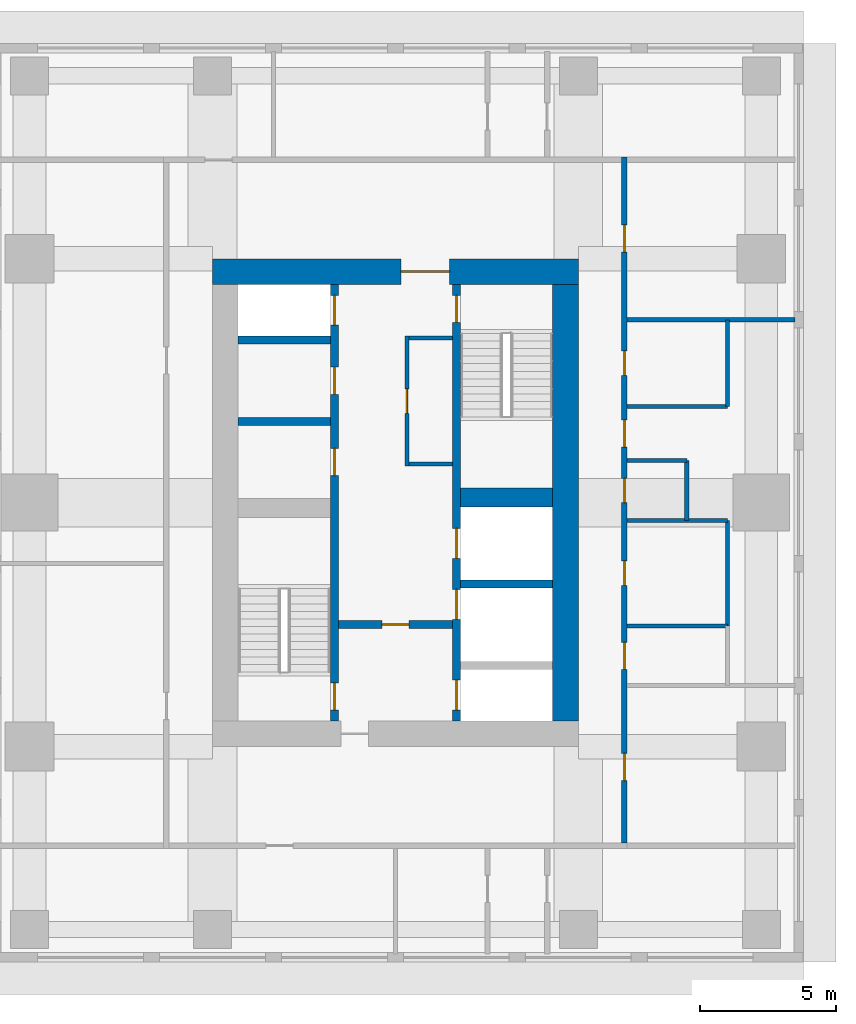
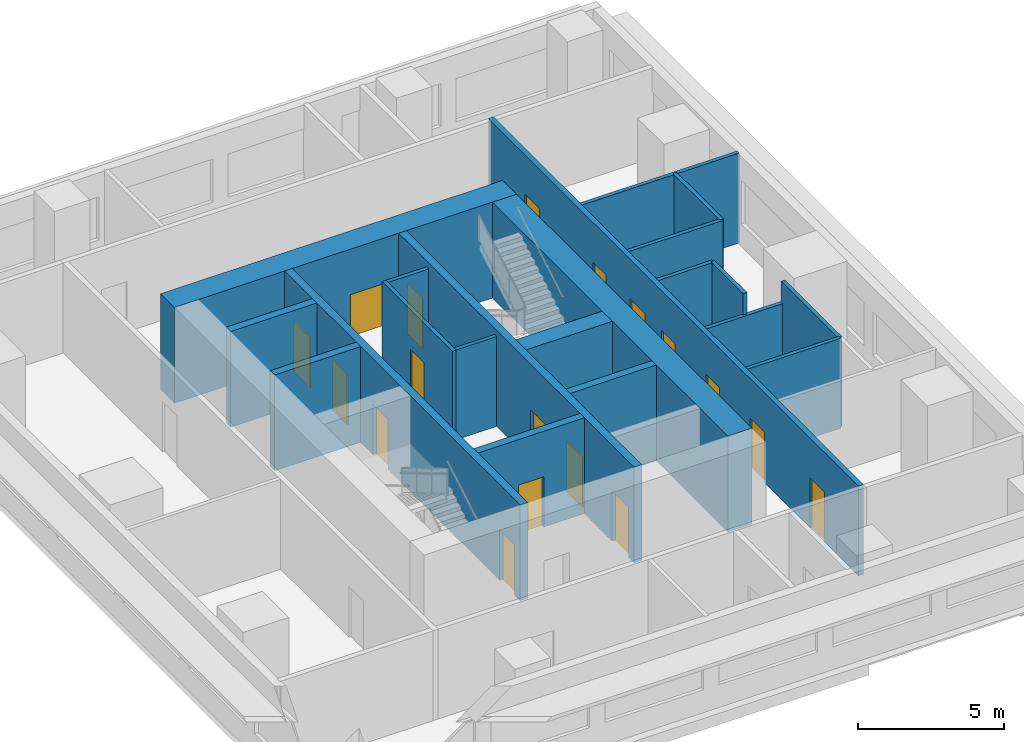
# One storey, part 7 of 11: 21 walls, 18 doors, 18 openings.
"""IFC4 building model written with IfcOpenShell, lengths in metres."""

from ifc_helpers import new_model, si_unit, direction, frame, frame_2d, origin, place, context, subcontext, project, spatial, rectangle, extrude, material, layer, layer_set, type_object, element, fill, save


model = new_model("IFC4")

# Units and contexts
model_context = context("Model", 3, precision=1e-05, world=origin(), true_north=direction((0.0, 1.0)))
body_context = subcontext(model_context, "Body", "Model", "MODEL_VIEW")
ifc_project = project(units=[si_unit("LENGTHUNIT", "METRE"), si_unit("AREAUNIT", "SQUARE_METRE"), si_unit("VOLUMEUNIT", "CUBIC_METRE"), si_unit("PLANEANGLEUNIT", "RADIAN"), si_unit("MASSUNIT", "GRAM", prefix="KILO")], contexts=[model_context])

# Site, building, storey
site_placement = place(None, origin())
site = spatial("IfcSite", under=ifc_project, at=site_placement, CompositionType="ELEMENT")
building_placement = place(site_placement, origin())
building = spatial("IfcBuilding", under=site, at=building_placement, Name="Namib Vertical Campus", CompositionType="ELEMENT")
storey_placement = place(building_placement, frame((0.0, 0.0, 189.0)))
storey = spatial("IfcBuildingStorey", under=building, at=storey_placement, Name="L44", CompositionType="ELEMENT", Elevation=189.0)

# Wall, openings, doors
ifc_material_1 = material(Name="Concrete C60/75", Category="concrete")
ifc_layer_1 = layer(ifc_material_1, 0.300048828125)
ifc_layer_set_1 = layer_set([ifc_layer_1], Name="Concrete C60/75")
wall_type_1 = type_object("IfcWallType", Name="Core inner wall 300", PredefinedType="SHEAR", material=ifc_layer_set_1)
wall_1_placement = place(storey_placement, frame((78.75, 12.199951171875, 0.0), z_axis=(0.0, 0.0, 1.0), x_axis=(0.0, 1.0, 0.0)))
wall_1 = element("IfcWall", 1, at=wall_1_placement, inside=storey, type_object=wall_type_1, Name="Core inner wall B L44 W1", PredefinedType="SHEAR", context=body_context, shape_type="SweptSolid", body=[
    extrude(rectangle(XDim=16.10009765625, YDim=0.300048828125, at=frame_2d((8.050048828125, 0.0))), origin(), (0.0, 0.0, 1.0), 4.0),
])
opening_1_placement = place(wall_1_placement, frame((0.39990234375, 0.0, 0.0)))
opening_1 = element("IfcOpeningElement", 2, at=opening_1_placement, cuts=wall_1, Name="Opening FD1", PredefinedType="OPENING", context=body_context, shape_type="SweptSolid", body=[
    extrude(rectangle(XDim=1.0, YDim=2.10009765625, at=frame_2d((0.5, 1.050048828125))), frame((0.0, 0.159912109375, 0.0), z_axis=(0.0, -1.0, 0.0), x_axis=(1.0, 0.0, 0.0)), (0.0, 0.0, 1.0), 0.320068359375),
])
opening_2_placement = place(wall_1_placement, frame((14.60009765625, 0.0, 0.0)))
opening_2 = element("IfcOpeningElement", 3, at=opening_2_placement, cuts=wall_1, Name="Opening LD1", PredefinedType="OPENING", context=body_context, shape_type="SweptSolid", body=[
    extrude(rectangle(XDim=1.10009765625, YDim=2.10009765625, at=frame_2d((0.550048828125, 1.050048828125))), frame((0.0, 0.159912109375, 0.0), z_axis=(0.0, -1.0, 0.0), x_axis=(1.0, 0.0, 0.0)), (0.0, 0.0, 1.0), 0.320068359375),
])
opening_3_placement = place(wall_1_placement, frame((9.050048828125, 0.0, 0.0)))
opening_3 = element("IfcOpeningElement", 4, at=opening_3_placement, cuts=wall_1, Name="Opening D1", PredefinedType="OPENING", context=body_context, shape_type="SweptSolid", body=[
    extrude(rectangle(XDim=1.0, YDim=2.10009765625, at=frame_2d((0.5, 1.050048828125))), frame((0.0, 0.159912109375, 0.0), z_axis=(0.0, -1.0, 0.0), x_axis=(1.0, 0.0, 0.0)), (0.0, 0.0, 1.0), 0.320068359375),
])
opening_4_placement = place(wall_1_placement, frame((12.050048828125, 0.0, 0.0)))
opening_4 = element("IfcOpeningElement", 5, at=opening_4_placement, cuts=wall_1, Name="Opening D1", PredefinedType="OPENING", context=body_context, shape_type="SweptSolid", body=[
    extrude(rectangle(XDim=1.0, YDim=2.10009765625, at=frame_2d((0.5, 1.050048828125))), frame((0.0, 0.159912109375, 0.0), z_axis=(0.0, -1.0, 0.0), x_axis=(1.0, 0.0, 0.0)), (0.0, 0.0, 1.0), 0.320068359375),
])
ifc_material_2 = material(Name="Timber door leaf", Category="wood")
door_type_1 = type_object("IfcDoorType", Name="Door single 1000x2100", OperationType="SINGLE_SWING_LEFT", PredefinedType="DOOR", material=ifc_material_2)
door_1_placement = place(opening_3_placement, origin())
door_1 = element("IfcDoor", 6, at=door_1_placement, inside=storey, type_object=door_type_1, Name="Door D1 Store B L44 P1", OperationType="SINGLE_SWING_LEFT", OverallHeight=2.10009765625, OverallWidth=1.0, PredefinedType="DOOR", context=body_context, shape_type="SweptSolid", body=[
    extrude(rectangle(XDim=1.0, YDim=2.10009765625, at=frame_2d((0.5, 1.050048828125))), frame((0.0, 0.02490234375, 0.0), z_axis=(0.0, -1.0, 0.0), x_axis=(1.0, 0.0, 0.0)), (0.0, 0.0, 1.0), 0.050048828125),
])
fill(opening_3, door_1)
door_2_placement = place(opening_4_placement, origin())
door_2 = element("IfcDoor", 7, at=door_2_placement, inside=storey, type_object=door_type_1, Name="Door D1 Comms room B L44 P2", OperationType="SINGLE_SWING_LEFT", OverallHeight=2.10009765625, OverallWidth=1.0, PredefinedType="DOOR", context=body_context, shape_type="SweptSolid", body=[
    extrude(rectangle(XDim=1.0, YDim=2.10009765625, at=frame_2d((0.5, 1.050048828125))), frame((0.0, 0.02490234375, 0.0), z_axis=(0.0, -1.0, 0.0), x_axis=(1.0, 0.0, 0.0)), (0.0, 0.0, 1.0), 0.050048828125),
])
fill(opening_4, door_2)
ifc_material_3 = material(Name="Steel fire door", Category="steel")
door_type_2 = type_object("IfcDoorType", Name="Fire door 1000x2100", OperationType="SINGLE_SWING_RIGHT", PredefinedType="DOOR", material=ifc_material_3)
door_3_placement = place(opening_1_placement, origin())
door_3 = element("IfcDoor", 8, at=door_3_placement, inside=storey, type_object=door_type_2, Name="Stair door FD1 B L44 S1", OperationType="SINGLE_SWING_LEFT", OverallHeight=2.10009765625, OverallWidth=1.0, PredefinedType="DOOR", context=body_context, shape_type="SweptSolid", body=[
    extrude(rectangle(XDim=1.0, YDim=2.10009765625, at=frame_2d((0.5, 1.050048828125))), frame((0.0, 0.02490234375, 0.0), z_axis=(0.0, -1.0, 0.0), x_axis=(1.0, 0.0, 0.0)), (0.0, 0.0, 1.0), 0.050048828125),
])
fill(opening_1, door_3)
ifc_material_4 = material(Name="Stainless steel lift door", Category="steel")
door_type_3 = type_object("IfcDoorType", Name="Lift landing door 1100x2100", OperationType="DOUBLE_DOOR_SLIDING", PredefinedType="DOOR", material=ifc_material_4)
door_4_placement = place(opening_2_placement, origin())
door_4 = element("IfcDoor", 9, at=door_4_placement, inside=storey, type_object=door_type_3, Name="Lift landing door LD1 B-P3 L44", OperationType="DOUBLE_DOOR_SLIDING", OverallHeight=2.10009765625, OverallWidth=1.10009765625, PredefinedType="DOOR", context=body_context, shape_type="SweptSolid", body=[
    extrude(rectangle(XDim=1.10009765625, YDim=2.10009765625, at=frame_2d((0.550048828125, 1.050048828125))), frame((0.0, 0.02490234375, 0.0), z_axis=(0.0, -1.0, 0.0), x_axis=(1.0, 0.0, 0.0)), (0.0, 0.0, 1.0), 0.050048828125),
])
fill(opening_2, door_4)

wall_2_placement = place(storey_placement, frame((83.25, 12.199951171875, 0.0), z_axis=(0.0, 0.0, 1.0), x_axis=(0.0, 1.0, 0.0)))
wall_2 = element("IfcWall", 10, at=wall_2_placement, inside=storey, type_object=wall_type_1, Name="Core inner wall B L44 W2", PredefinedType="SHEAR", context=body_context, shape_type="SweptSolid", body=[
    extrude(rectangle(XDim=16.10009765625, YDim=0.300048828125, at=frame_2d((8.050048828125, 0.0))), origin(), (0.0, 0.0, 1.0), 4.0),
])
opening_5_placement = place(wall_2_placement, frame((14.699951171875, 0.0, 0.0)))
opening_5 = element("IfcOpeningElement", 11, at=opening_5_placement, cuts=wall_2, Name="Opening FD1", PredefinedType="OPENING", context=body_context, shape_type="SweptSolid", body=[
    extrude(rectangle(XDim=1.0, YDim=2.10009765625, at=frame_2d((0.5, 1.050048828125))), frame((0.0, 0.159912109375, 0.0), z_axis=(0.0, -1.0, 0.0), x_axis=(1.0, 0.0, 0.0)), (0.0, 0.0, 1.0), 0.320068359375),
])
opening_6_placement = place(wall_2_placement, frame((0.39990234375, 0.0, 0.0)))
opening_6 = element("IfcOpeningElement", 12, at=opening_6_placement, cuts=wall_2, Name="Opening LD1", PredefinedType="OPENING", context=body_context, shape_type="SweptSolid", body=[
    extrude(rectangle(XDim=1.10009765625, YDim=2.10009765625, at=frame_2d((0.550048828125, 1.050048828125))), frame((0.0, 0.159912109375, 0.0), z_axis=(0.0, -1.0, 0.0), x_axis=(1.0, 0.0, 0.0)), (0.0, 0.0, 1.0), 0.320068359375),
])
opening_7_placement = place(wall_2_placement, frame((3.75, 0.0, 0.0)))
opening_7 = element("IfcOpeningElement", 13, at=opening_7_placement, cuts=wall_2, Name="Opening LD1", PredefinedType="OPENING", context=body_context, shape_type="SweptSolid", body=[
    extrude(rectangle(XDim=1.10009765625, YDim=2.10009765625, at=frame_2d((0.550048828125, 1.050048828125))), frame((0.0, 0.159912109375, 0.0), z_axis=(0.0, -1.0, 0.0), x_axis=(1.0, 0.0, 0.0)), (0.0, 0.0, 1.0), 0.320068359375),
])
opening_8_placement = place(wall_2_placement, frame((6.0, 0.0, 0.0)))
opening_8 = element("IfcOpeningElement", 14, at=opening_8_placement, cuts=wall_2, Name="Opening LD1", PredefinedType="OPENING", context=body_context, shape_type="SweptSolid", body=[
    extrude(rectangle(XDim=1.10009765625, YDim=2.10009765625, at=frame_2d((0.550048828125, 1.050048828125))), frame((0.0, 0.159912109375, 0.0), z_axis=(0.0, -1.0, 0.0), x_axis=(1.0, 0.0, 0.0)), (0.0, 0.0, 1.0), 0.320068359375),
])
door_5_placement = place(opening_5_placement, frame((1.0, 0.0, 0.0), z_axis=(0.0, 0.0, 1.0), x_axis=(-1.0, 0.0, 0.0)))
door_5 = element("IfcDoor", 15, at=door_5_placement, inside=storey, type_object=door_type_2, Name="Stair door FD1 B L44 S2", OperationType="SINGLE_SWING_LEFT", OverallHeight=2.10009765625, OverallWidth=1.0, PredefinedType="DOOR", context=body_context, shape_type="SweptSolid", body=[
    extrude(rectangle(XDim=1.0, YDim=2.10009765625, at=frame_2d((0.5, 1.050048828125))), frame((0.0, 0.02490234375, 0.0), z_axis=(0.0, -1.0, 0.0), x_axis=(1.0, 0.0, 0.0)), (0.0, 0.0, 1.0), 0.050048828125),
])
fill(opening_5, door_5)
door_6_placement = place(opening_6_placement, origin())
door_6 = element("IfcDoor", 16, at=door_6_placement, inside=storey, type_object=door_type_3, Name="Lift landing door LD1 B-FL1 L44", OperationType="DOUBLE_DOOR_SLIDING", OverallHeight=2.10009765625, OverallWidth=1.10009765625, PredefinedType="DOOR", context=body_context, shape_type="SweptSolid", body=[
    extrude(rectangle(XDim=1.10009765625, YDim=2.10009765625, at=frame_2d((0.550048828125, 1.050048828125))), frame((0.0, 0.02490234375, 0.0), z_axis=(0.0, -1.0, 0.0), x_axis=(1.0, 0.0, 0.0)), (0.0, 0.0, 1.0), 0.050048828125),
])
fill(opening_6, door_6)
door_7_placement = place(opening_7_placement, origin())
door_7 = element("IfcDoor", 17, at=door_7_placement, inside=storey, type_object=door_type_3, Name="Lift landing door LD1 B-P4 L44", OperationType="DOUBLE_DOOR_SLIDING", OverallHeight=2.10009765625, OverallWidth=1.10009765625, PredefinedType="DOOR", context=body_context, shape_type="SweptSolid", body=[
    extrude(rectangle(XDim=1.10009765625, YDim=2.10009765625, at=frame_2d((0.550048828125, 1.050048828125))), frame((0.0, 0.02490234375, 0.0), z_axis=(0.0, -1.0, 0.0), x_axis=(1.0, 0.0, 0.0)), (0.0, 0.0, 1.0), 0.050048828125),
])
fill(opening_7, door_7)
door_8_placement = place(opening_8_placement, origin())
door_8 = element("IfcDoor", 18, at=door_8_placement, inside=storey, type_object=door_type_3, Name="Lift landing door LD1 B-P5 L44", OperationType="DOUBLE_DOOR_SLIDING", OverallHeight=2.10009765625, OverallWidth=1.10009765625, PredefinedType="DOOR", context=body_context, shape_type="SweptSolid", body=[
    extrude(rectangle(XDim=1.10009765625, YDim=2.10009765625, at=frame_2d((0.550048828125, 1.050048828125))), frame((0.0, 0.02490234375, 0.0), z_axis=(0.0, -1.0, 0.0), x_axis=(1.0, 0.0, 0.0)), (0.0, 0.0, 1.0), 0.050048828125),
])
fill(opening_8, door_8)

# Wall, opening, door
wall_3_placement = place(storey_placement, frame((78.89990234375, 15.75, 0.0), z_axis=(0.0, 0.0, 1.0), x_axis=(1.0, 0.0, 0.0)))
wall_3 = element("IfcWall", 19, at=wall_3_placement, inside=storey, type_object=wall_type_1, Name="Core inner wall B L44 W4", PredefinedType="SHEAR", context=body_context, shape_type="SweptSolid", body=[
    extrude(rectangle(XDim=4.2001953125, YDim=0.300048828125, at=frame_2d((2.10009765625, 0.0))), origin(), (0.0, 0.0, 1.0), 4.0),
])
opening_9_placement = place(wall_3_placement, frame((1.60009765625, 0.0, 0.0)))
opening_9 = element("IfcOpeningElement", 20, at=opening_9_placement, cuts=wall_3, Name="Opening FD5", PredefinedType="OPENING", context=body_context, shape_type="SweptSolid", body=[
    extrude(rectangle(XDim=1.0, YDim=2.10009765625, at=frame_2d((0.5, 1.050048828125))), frame((0.0, 0.159912109375, 0.0), z_axis=(0.0, -1.0, 0.0), x_axis=(1.0, 0.0, 0.0)), (0.0, 0.0, 1.0), 0.320068359375),
])
ifc_material_5 = material(Name="Steel fire door", Category="steel")
door_type_4 = type_object("IfcDoorType", Name="Fire door 1000x2100 120 min", OperationType="SINGLE_SWING_RIGHT", PredefinedType="DOOR", material=ifc_material_5)
door_9_placement = place(opening_9_placement, frame((1.0, 0.0, 0.0), z_axis=(0.0, 0.0, 1.0), x_axis=(-1.0, 0.0, 0.0)))
door_9 = element("IfcDoor", 21, at=door_9_placement, inside=storey, type_object=door_type_4, Name="Lobby door FD5 B L44", OperationType="SINGLE_SWING_RIGHT", OverallHeight=2.10009765625, OverallWidth=1.0, PredefinedType="DOOR", context=body_context, shape_type="SweptSolid", body=[
    extrude(rectangle(XDim=1.0, YDim=2.10009765625, at=frame_2d((0.5, 1.050048828125))), frame((0.0, 0.02490234375, 0.0), z_axis=(0.0, -1.0, 0.0), x_axis=(1.0, 0.0, 0.0)), (0.0, 0.0, 1.0), 0.050048828125),
])
fill(opening_9, door_9)

# Walls
for number, where, z_axis, x_axis, name in (
    (22, (83.39990234375, 17.25, 0.0), (0.0, 0.0, 1.0), (1.0, 0.0, 0.0), "Core inner wall B L44 W6"),
    (23, (75.199951171875, 23.25, 0.0), (0.0, 0.0, 1.0), (1.0, 0.0, 0.0), "Core inner wall B L44 W8"),
    (24, (75.199951171875, 26.25, 0.0), (0.0, 0.0, 1.0), (1.0, 0.0, 0.0), "Core inner wall B L44 W9"),
):
    element("IfcWall", number, at=place(storey_placement, frame(where, z_axis=z_axis, x_axis=x_axis)), inside=storey, type_object=wall_type_1, Name=name, PredefinedType="SHEAR", context=body_context, shape_type="SweptSolid", body=[
        extrude(rectangle(XDim=3.400146484375, YDim=0.300048828125, at=frame_2d((1.7001953125, 0.0))), origin(), (0.0, 0.0, 1.0), 4.0),
    ])
ifc_material_6 = material(Name="Concrete C60/75", Category="concrete")
ifc_layer_2 = layer(ifc_material_6, 0.699951171875)
ifc_layer_set_2 = layer_set([ifc_layer_2], Name="Concrete C60/75")
wall_type_2 = type_object("IfcWallType", Name="Core shear wall 700", PredefinedType="SHEAR", material=ifc_layer_set_2)
wall_4_placement = place(storey_placement, frame((83.39990234375, 20.449951171875, 0.0), z_axis=(0.0, 0.0, 1.0), x_axis=(1.0, 0.0, 0.0)))
element("IfcWall", 25, at=wall_4_placement, inside=storey, type_object=wall_type_2, Name="Core shear wall B L44 W7", PredefinedType="SHEAR", context=body_context, shape_type="SweptSolid", body=[
    extrude(rectangle(XDim=3.400146484375, YDim=0.699951171875, at=frame_2d((1.7001953125, 0.0))), origin(), (0.0, 0.0, 1.0), 4.0),
])
ifc_material_7 = material(Name="Concrete C60/75", Category="concrete")
ifc_layer_3 = layer(ifc_material_7, 0.949951171875)
ifc_layer_set_3 = layer_set([ifc_layer_3], Name="Concrete C60/75")
wall_type_3 = type_object("IfcWallType", Name="Core wall 950", PredefinedType="SHEAR", material=ifc_layer_set_3)
wall_5_placement = place(storey_placement, frame((87.27490234375, 12.199951171875, 0.0), z_axis=(0.0, 0.0, 1.0), x_axis=(0.0, 1.0, 0.0)))
element("IfcWall", 26, at=wall_5_placement, inside=storey, type_object=wall_type_3, Name="Core wall B L44 2", PredefinedType="SHEAR", context=body_context, shape_type="SweptSolid", body=[
    extrude(rectangle(XDim=16.10009765625, YDim=0.949951171875, at=frame_2d((8.050048828125, 0.0))), origin(), (0.0, 0.0, 1.0), 4.0),
])

# Wall, opening, door
wall_6_placement = place(storey_placement, frame((87.75, 28.77490234375, 0.0), z_axis=(0.0, 0.0, 1.0), x_axis=(-1.0, 0.0, 0.0)))
wall_6 = element("IfcWall", 27, at=wall_6_placement, inside=storey, type_object=wall_type_3, Name="Core wall B L44 3", PredefinedType="SHEAR", context=body_context, shape_type="SweptSolid", body=[
    extrude(rectangle(XDim=13.5, YDim=0.949951171875, at=frame_2d((6.75, 0.0))), origin(), (0.0, 0.0, 1.0), 4.0),
])
opening_10_placement = place(wall_6_placement, frame((4.75, 0.0, 0.0)))
opening_10 = element("IfcOpeningElement", 28, at=opening_10_placement, cuts=wall_6, Name="Opening FD2", PredefinedType="OPENING", context=body_context, shape_type="SweptSolid", body=[
    extrude(rectangle(XDim=1.800048828125, YDim=2.10009765625, at=frame_2d((0.89990234375, 1.050048828125))), frame((0.0, 0.48486328125, 0.0), z_axis=(0.0, -1.0, 0.0), x_axis=(1.0, 0.0, 0.0)), (0.0, 0.0, 1.0), 0.969970703125),
])
ifc_material_8 = material(Name="Steel fire door", Category="steel")
door_type_5 = type_object("IfcDoorType", Name="Fire door double 1800x2100", OperationType="DOUBLE_DOOR_SINGLE_SWING", PredefinedType="DOOR", material=ifc_material_8)
door_10_placement = place(opening_10_placement, origin())
door_10 = element("IfcDoor", 29, at=door_10_placement, inside=storey, type_object=door_type_5, Name="Lift lobby door FD2 B L44", OperationType="DOUBLE_DOOR_SINGLE_SWING", OverallHeight=2.10009765625, OverallWidth=1.800048828125, PredefinedType="DOOR", context=body_context, shape_type="SweptSolid", body=[
    extrude(rectangle(XDim=1.800048828125, YDim=2.10009765625, at=frame_2d((0.89990234375, 1.050048828125))), frame((0.0, 0.02490234375, 0.0), z_axis=(0.0, -1.0, 0.0), x_axis=(1.0, 0.0, 0.0)), (0.0, 0.0, 1.0), 0.050048828125),
])
fill(opening_10, door_10)

# Wall, openings, doors
ifc_material_9 = material(Name="Concrete masonry", Category="masonry")
ifc_layer_4 = layer(ifc_material_9, 0.199951171875)
ifc_layer_set_4 = layer_set([ifc_layer_4], Name="Corridor wall 200")
wall_type_4 = type_object("IfcWallType", Name="Corridor wall 200", PredefinedType="SOLIDWALL", material=ifc_layer_set_4)
wall_7_placement = place(storey_placement, frame((89.449951171875, 7.699951171875, 0.0), z_axis=(0.0, 0.0, 1.0), x_axis=(0.0, 1.0, 0.0)))
wall_7 = element("IfcWall", 30, at=wall_7_placement, inside=storey, type_object=wall_type_4, Name="Corridor wall B L44 CE", PredefinedType="SOLIDWALL", context=body_context, shape_type="SweptSolid", body=[
    extrude(rectangle(XDim=25.300048828125, YDim=0.199951171875, at=frame_2d((12.64990234375, 0.0))), origin(), (0.0, 0.0, 1.0), 3.75),
])
opening_11_placement = place(wall_7_placement, frame((2.300048828125, 0.0, 0.0)))
opening_11 = element("IfcOpeningElement", 31, at=opening_11_placement, cuts=wall_7, Name="Opening CD1", PredefinedType="OPENING", context=body_context, shape_type="SweptSolid", body=[
    extrude(rectangle(XDim=1.0, YDim=2.10009765625, at=frame_2d((0.5, 1.050048828125))), frame((0.0, 0.10986328125, 0.0), z_axis=(0.0, -1.0, 0.0), x_axis=(1.0, 0.0, 0.0)), (0.0, 0.0, 1.0), 0.219970703125),
])
opening_12_placement = place(wall_7_placement, frame((6.39990234375, 0.0, 0.0)))
opening_12 = element("IfcOpeningElement", 32, at=opening_12_placement, cuts=wall_7, Name="Opening CD1", PredefinedType="OPENING", context=body_context, shape_type="SweptSolid", body=[
    extrude(rectangle(XDim=1.0, YDim=2.10009765625, at=frame_2d((0.5, 1.050048828125))), frame((0.0, 0.10986328125, 0.0), z_axis=(0.0, -1.0, 0.0), x_axis=(1.0, 0.0, 0.0)), (0.0, 0.0, 1.0), 0.219970703125),
])
opening_13_placement = place(wall_7_placement, frame((9.5, 0.0, 0.0)))
opening_13 = element("IfcOpeningElement", 33, at=opening_13_placement, cuts=wall_7, Name="Opening CD3", PredefinedType="OPENING", context=body_context, shape_type="SweptSolid", body=[
    extrude(rectangle(XDim=0.89990234375, YDim=2.10009765625, at=frame_2d((0.449951171875, 1.050048828125))), frame((0.0, 0.10986328125, 0.0), z_axis=(0.0, -1.0, 0.0), x_axis=(1.0, 0.0, 0.0)), (0.0, 0.0, 1.0), 0.219970703125),
])
opening_14_placement = place(wall_7_placement, frame((12.550048828125, 0.0, 0.0)))
opening_14 = element("IfcOpeningElement", 34, at=opening_14_placement, cuts=wall_7, Name="Opening CD3", PredefinedType="OPENING", context=body_context, shape_type="SweptSolid", body=[
    extrude(rectangle(XDim=0.89990234375, YDim=2.10009765625, at=frame_2d((0.449951171875, 1.050048828125))), frame((0.0, 0.10986328125, 0.0), z_axis=(0.0, -1.0, 0.0), x_axis=(1.0, 0.0, 0.0)), (0.0, 0.0, 1.0), 0.219970703125),
])
opening_15_placement = place(wall_7_placement, frame((17.25, 0.0, 0.0)))
opening_15 = element("IfcOpeningElement", 35, at=opening_15_placement, cuts=wall_7, Name="Opening CD3", PredefinedType="OPENING", context=body_context, shape_type="SweptSolid", body=[
    extrude(rectangle(XDim=0.89990234375, YDim=2.10009765625, at=frame_2d((0.449951171875, 1.050048828125))), frame((0.0, 0.10986328125, 0.0), z_axis=(0.0, -1.0, 0.0), x_axis=(1.0, 0.0, 0.0)), (0.0, 0.0, 1.0), 0.219970703125),
])
opening_16_placement = place(wall_7_placement, frame((14.60009765625, 0.0, 0.0)))
opening_16 = element("IfcOpeningElement", 36, at=opening_16_placement, cuts=wall_7, Name="Opening CD1", PredefinedType="OPENING", context=body_context, shape_type="SweptSolid", body=[
    extrude(rectangle(XDim=1.0, YDim=2.10009765625, at=frame_2d((0.5, 1.050048828125))), frame((0.0, 0.10986328125, 0.0), z_axis=(0.0, -1.0, 0.0), x_axis=(1.0, 0.0, 0.0)), (0.0, 0.0, 1.0), 0.219970703125),
])
opening_17_placement = place(wall_7_placement, frame((21.800048828125, 0.0, 0.0)))
opening_17 = element("IfcOpeningElement", 37, at=opening_17_placement, cuts=wall_7, Name="Opening CD1", PredefinedType="OPENING", context=body_context, shape_type="SweptSolid", body=[
    extrude(rectangle(XDim=1.0, YDim=2.10009765625, at=frame_2d((0.5, 1.050048828125))), frame((0.0, 0.10986328125, 0.0), z_axis=(0.0, -1.0, 0.0), x_axis=(1.0, 0.0, 0.0)), (0.0, 0.0, 1.0), 0.219970703125),
])
ifc_material_10 = material(Name="Timber fire door leaf", Category="wood")
door_type_6 = type_object("IfcDoorType", Name="Corridor door 1000x2100 20 min", OperationType="SINGLE_SWING_LEFT", PredefinedType="DOOR", material=ifc_material_10)
door_11_placement = place(opening_11_placement, frame((1.0, 0.0, 0.0), z_axis=(0.0, 0.0, 1.0), x_axis=(-1.0, 0.0, 0.0)))
door_11 = element("IfcDoor", 38, at=door_11_placement, inside=storey, type_object=door_type_6, Name="Door CD1 B44-04", OperationType="SINGLE_SWING_RIGHT", OverallHeight=2.10009765625, OverallWidth=1.0, PredefinedType="DOOR", context=body_context, shape_type="SweptSolid", body=[
    extrude(rectangle(XDim=1.0, YDim=2.10009765625, at=frame_2d((0.5, 1.050048828125))), frame((0.0, 0.02490234375, 0.0), z_axis=(0.0, -1.0, 0.0), x_axis=(1.0, 0.0, 0.0)), (0.0, 0.0, 1.0), 0.050048828125),
])
fill(opening_11, door_11)
door_12_placement = place(opening_12_placement, frame((1.0, 0.0, 0.0), z_axis=(0.0, 0.0, 1.0), x_axis=(-1.0, 0.0, 0.0)))
door_12 = element("IfcDoor", 39, at=door_12_placement, inside=storey, type_object=door_type_6, Name="Door CD1 B44-05", OperationType="SINGLE_SWING_RIGHT", OverallHeight=2.10009765625, OverallWidth=1.0, PredefinedType="DOOR", context=body_context, shape_type="SweptSolid", body=[
    extrude(rectangle(XDim=1.0, YDim=2.10009765625, at=frame_2d((0.5, 1.050048828125))), frame((0.0, 0.02490234375, 0.0), z_axis=(0.0, -1.0, 0.0), x_axis=(1.0, 0.0, 0.0)), (0.0, 0.0, 1.0), 0.050048828125),
])
fill(opening_12, door_12)
door_13_placement = place(opening_16_placement, frame((1.0, 0.0, 0.0), z_axis=(0.0, 0.0, 1.0), x_axis=(-1.0, 0.0, 0.0)))
door_13 = element("IfcDoor", 40, at=door_13_placement, inside=storey, type_object=door_type_6, Name="Door CD1 B44-09", OperationType="SINGLE_SWING_RIGHT", OverallHeight=2.10009765625, OverallWidth=1.0, PredefinedType="DOOR", context=body_context, shape_type="SweptSolid", body=[
    extrude(rectangle(XDim=1.0, YDim=2.10009765625, at=frame_2d((0.5, 1.050048828125))), frame((0.0, 0.02490234375, 0.0), z_axis=(0.0, -1.0, 0.0), x_axis=(1.0, 0.0, 0.0)), (0.0, 0.0, 1.0), 0.050048828125),
])
fill(opening_16, door_13)
door_14_placement = place(opening_17_placement, frame((1.0, 0.0, 0.0), z_axis=(0.0, 0.0, 1.0), x_axis=(-1.0, 0.0, 0.0)))
door_14 = element("IfcDoor", 41, at=door_14_placement, inside=storey, type_object=door_type_6, Name="Door CD1 B44-10", OperationType="SINGLE_SWING_RIGHT", OverallHeight=2.10009765625, OverallWidth=1.0, PredefinedType="DOOR", context=body_context, shape_type="SweptSolid", body=[
    extrude(rectangle(XDim=1.0, YDim=2.10009765625, at=frame_2d((0.5, 1.050048828125))), frame((0.0, 0.02490234375, 0.0), z_axis=(0.0, -1.0, 0.0), x_axis=(1.0, 0.0, 0.0)), (0.0, 0.0, 1.0), 0.050048828125),
])
fill(opening_17, door_14)
ifc_material_11 = material(Name="Timber fire door leaf", Category="wood")
door_type_7 = type_object("IfcDoorType", Name="Corridor toilet door 900x2100 20 min", OperationType="SINGLE_SWING_LEFT", PredefinedType="DOOR", material=ifc_material_11)
door_15_placement = place(opening_13_placement, frame((0.89990234375, 0.0, 0.0), z_axis=(0.0, 0.0, 1.0), x_axis=(-1.0, 0.0, 0.0)))
door_15 = element("IfcDoor", 42, at=door_15_placement, inside=storey, type_object=door_type_7, Name="Door CD3 B44-06", OperationType="SINGLE_SWING_RIGHT", OverallHeight=2.10009765625, OverallWidth=0.89990234375, PredefinedType="DOOR", context=body_context, shape_type="SweptSolid", body=[
    extrude(rectangle(XDim=0.89990234375, YDim=2.10009765625, at=frame_2d((0.449951171875, 1.050048828125))), frame((0.0, 0.02490234375, 0.0), z_axis=(0.0, -1.0, 0.0), x_axis=(1.0, 0.0, 0.0)), (0.0, 0.0, 1.0), 0.050048828125),
])
fill(opening_13, door_15)
door_16_placement = place(opening_14_placement, frame((0.89990234375, 0.0, 0.0), z_axis=(0.0, 0.0, 1.0), x_axis=(-1.0, 0.0, 0.0)))
door_16 = element("IfcDoor", 43, at=door_16_placement, inside=storey, type_object=door_type_7, Name="Door CD3 B44-07", OperationType="SINGLE_SWING_RIGHT", OverallHeight=2.10009765625, OverallWidth=0.89990234375, PredefinedType="DOOR", context=body_context, shape_type="SweptSolid", body=[
    extrude(rectangle(XDim=0.89990234375, YDim=2.10009765625, at=frame_2d((0.449951171875, 1.050048828125))), frame((0.0, 0.02490234375, 0.0), z_axis=(0.0, -1.0, 0.0), x_axis=(1.0, 0.0, 0.0)), (0.0, 0.0, 1.0), 0.050048828125),
])
fill(opening_14, door_16)
door_17_placement = place(opening_15_placement, frame((0.89990234375, 0.0, 0.0), z_axis=(0.0, 0.0, 1.0), x_axis=(-1.0, 0.0, 0.0)))
door_17 = element("IfcDoor", 44, at=door_17_placement, inside=storey, type_object=door_type_7, Name="Door CD3 B44-08", OperationType="SINGLE_SWING_RIGHT", OverallHeight=2.10009765625, OverallWidth=0.89990234375, PredefinedType="DOOR", context=body_context, shape_type="SweptSolid", body=[
    extrude(rectangle(XDim=0.89990234375, YDim=2.10009765625, at=frame_2d((0.449951171875, 1.050048828125))), frame((0.0, 0.02490234375, 0.0), z_axis=(0.0, -1.0, 0.0), x_axis=(1.0, 0.0, 0.0)), (0.0, 0.0, 1.0), 0.050048828125),
])
fill(opening_15, door_17)

# Wall, opening, door
ifc_material_12 = material(Name="Gypsum board on steel studs", Category="steel")
ifc_layer_5 = layer(ifc_material_12, 0.14990234375)
ifc_layer_set_5 = layer_set([ifc_layer_5], Name="Gypsum board on steel studs")
wall_type_5 = type_object("IfcWallType", Name="Partition 150", PredefinedType="PARTITIONING", material=ifc_layer_set_5)
wall_8_placement = place(storey_placement, frame((81.425048828125, 21.60009765625, 0.0), z_axis=(0.0, 0.0, 1.0), x_axis=(0.0, 1.0, 0.0)))
wall_8 = element("IfcWall", 45, at=wall_8_placement, inside=storey, type_object=wall_type_5, Name="Partition B L44 Staff pantry front", PredefinedType="PARTITIONING", context=body_context, shape_type="SweptSolid", body=[
    extrude(rectangle(XDim=4.7998046875, YDim=0.14990234375, at=frame_2d((2.39990234375, 0.0))), origin(), (0.0, 0.0, 1.0), 3.75),
])
opening_18_placement = place(wall_8_placement, frame((1.949951171875, 0.0, 0.0)))
opening_18 = element("IfcOpeningElement", 46, at=opening_18_placement, cuts=wall_8, Name="Opening D3", PredefinedType="OPENING", context=body_context, shape_type="SweptSolid", body=[
    extrude(rectangle(XDim=0.89990234375, YDim=2.10009765625, at=frame_2d((0.449951171875, 1.050048828125))), frame((0.0, 0.0849609375, 0.0), z_axis=(0.0, -1.0, 0.0), x_axis=(1.0, 0.0, 0.0)), (0.0, 0.0, 1.0), 0.169921875),
])
ifc_material_13 = material(Name="Timber door leaf", Category="wood")
door_type_8 = type_object("IfcDoorType", Name="Toilet door 900x2100", OperationType="SINGLE_SWING_LEFT", PredefinedType="DOOR", material=ifc_material_13)
door_18_placement = place(opening_18_placement, frame((0.89990234375, 0.0, 0.0), z_axis=(0.0, 0.0, 1.0), x_axis=(-1.0, 0.0, 0.0)))
door_18 = element("IfcDoor", 47, at=door_18_placement, inside=storey, type_object=door_type_8, Name="Door D3 Staff pantry B L44", OperationType="SINGLE_SWING_RIGHT", OverallHeight=2.10009765625, OverallWidth=0.89990234375, PredefinedType="DOOR", context=body_context, shape_type="SweptSolid", body=[
    extrude(rectangle(XDim=0.89990234375, YDim=2.10009765625, at=frame_2d((0.449951171875, 1.050048828125))), frame((0.0, 0.02490234375, 0.0), z_axis=(0.0, -1.0, 0.0), x_axis=(1.0, 0.0, 0.0)), (0.0, 0.0, 1.0), 0.050048828125),
])
fill(opening_18, door_18)

# Walls
for number, where, z_axis, x_axis, name in (
    (48, (81.5, 21.675048828125, 0.0), (0.0, 0.0, 1.0), (1.0, 0.0, 0.0), "Partition B L44 Staff pantry end 1"),
    (49, (81.5, 26.324951171875, 0.0), (0.0, 0.0, 1.0), (1.0, 0.0, 0.0), "Partition B L44 Staff pantry end 2"),
):
    element("IfcWall", number, at=place(storey_placement, frame(where, z_axis=z_axis, x_axis=x_axis)), inside=storey, type_object=wall_type_5, Name=name, PredefinedType="PARTITIONING", context=body_context, shape_type="SweptSolid", body=[
        extrude(rectangle(XDim=1.60009765625, YDim=0.14990234375, at=frame_2d((0.800048828125, 0.0))), origin(), (0.0, 0.0, 1.0), 3.75),
    ])
wall_9_placement = place(storey_placement, frame((89.550048828125, 27.0, 0.0), z_axis=(0.0, 0.0, 1.0), x_axis=(1.0, 0.0, 0.0)))
element("IfcWall", 50, at=wall_9_placement, inside=storey, type_object=wall_type_5, Name="Partition B L44 PE2", PredefinedType="PARTITIONING", context=body_context, shape_type="SweptSolid", body=[
    extrude(rectangle(XDim=6.199951171875, YDim=0.14990234375, at=frame_2d((3.10009765625, 0.0))), origin(), (0.0, 0.0, 1.0), 3.75),
])
wall_10_placement = place(storey_placement, frame((89.550048828125, 15.699951171875, 0.0), z_axis=(0.0, 0.0, 1.0), x_axis=(1.0, 0.0, 0.0)))
element("IfcWall", 51, at=wall_10_placement, inside=storey, type_object=wall_type_5, Name="Partition B L44 WR1", PredefinedType="PARTITIONING", context=body_context, shape_type="SweptSolid", body=[
    extrude(rectangle(XDim=3.699951171875, YDim=0.14990234375, at=frame_2d((1.85009765625, 0.0))), origin(), (0.0, 0.0, 1.0), 3.75),
])
wall_11_placement = place(storey_placement, frame((89.550048828125, 19.60009765625, 0.0), z_axis=(0.0, 0.0, 1.0), x_axis=(1.0, 0.0, 0.0)))
element("IfcWall", 52, at=wall_11_placement, inside=storey, type_object=wall_type_5, Name="Partition B L44 WR2", PredefinedType="PARTITIONING", context=body_context, shape_type="SweptSolid", body=[
    extrude(rectangle(XDim=3.699951171875, YDim=0.14990234375, at=frame_2d((1.85009765625, 0.0))), origin(), (0.0, 0.0, 1.0), 2.85009765625),
])
wall_12_placement = place(storey_placement, frame((89.550048828125, 21.800048828125, 0.0), z_axis=(0.0, 0.0, 1.0), x_axis=(1.0, 0.0, 0.0)))
element("IfcWall", 53, at=wall_12_placement, inside=storey, type_object=wall_type_5, Name="Partition B L44 WR3", PredefinedType="PARTITIONING", context=body_context, shape_type="SweptSolid", body=[
    extrude(rectangle(XDim=2.199951171875, YDim=0.14990234375, at=frame_2d((1.10009765625, 0.0))), origin(), (0.0, 0.0, 1.0), 3.75),
])
wall_13_placement = place(storey_placement, frame((89.550048828125, 23.800048828125, 0.0), z_axis=(0.0, 0.0, 1.0), x_axis=(1.0, 0.0, 0.0)))
element("IfcWall", 54, at=wall_13_placement, inside=storey, type_object=wall_type_5, Name="Partition B L44 WR4", PredefinedType="PARTITIONING", context=body_context, shape_type="SweptSolid", body=[
    extrude(rectangle(XDim=3.699951171875, YDim=0.14990234375, at=frame_2d((1.85009765625, 0.0))), origin(), (0.0, 0.0, 1.0), 3.75),
])
wall_14_placement = place(storey_placement, frame((93.25, 15.699951171875, 0.0), z_axis=(0.0, 0.0, 1.0), x_axis=(0.0, 1.0, 0.0)))
element("IfcWall", 55, at=wall_14_placement, inside=storey, type_object=wall_type_5, Name="Partition B L44 WB2", PredefinedType="PARTITIONING", context=body_context, shape_type="SweptSolid", body=[
    extrude(rectangle(XDim=3.900146484375, YDim=0.14990234375, at=frame_2d((1.9501953125, 0.0))), origin(), (0.0, 0.0, 1.0), 3.75),
])
wall_15_placement = place(storey_placement, frame((91.75, 19.60009765625, 0.0), z_axis=(0.0, 0.0, 1.0), x_axis=(0.0, 1.0, 0.0)))
element("IfcWall", 56, at=wall_15_placement, inside=storey, type_object=wall_type_5, Name="Partition B L44 WB3", PredefinedType="PARTITIONING", context=body_context, shape_type="SweptSolid", body=[
    extrude(rectangle(XDim=2.199951171875, YDim=0.14990234375, at=frame_2d((1.10009765625, 0.0))), origin(), (0.0, 0.0, 1.0), 3.75),
])
wall_16_placement = place(storey_placement, frame((93.25, 23.800048828125, 0.0), z_axis=(0.0, 0.0, 1.0), x_axis=(0.0, 1.0, 0.0)))
element("IfcWall", 57, at=wall_16_placement, inside=storey, type_object=wall_type_5, Name="Partition B L44 WB4", PredefinedType="PARTITIONING", context=body_context, shape_type="SweptSolid", body=[
    extrude(rectangle(XDim=3.199951171875, YDim=0.14990234375, at=frame_2d((1.60009765625, 0.0))), origin(), (0.0, 0.0, 1.0), 3.75),
])

save(model, "model.ifc")
